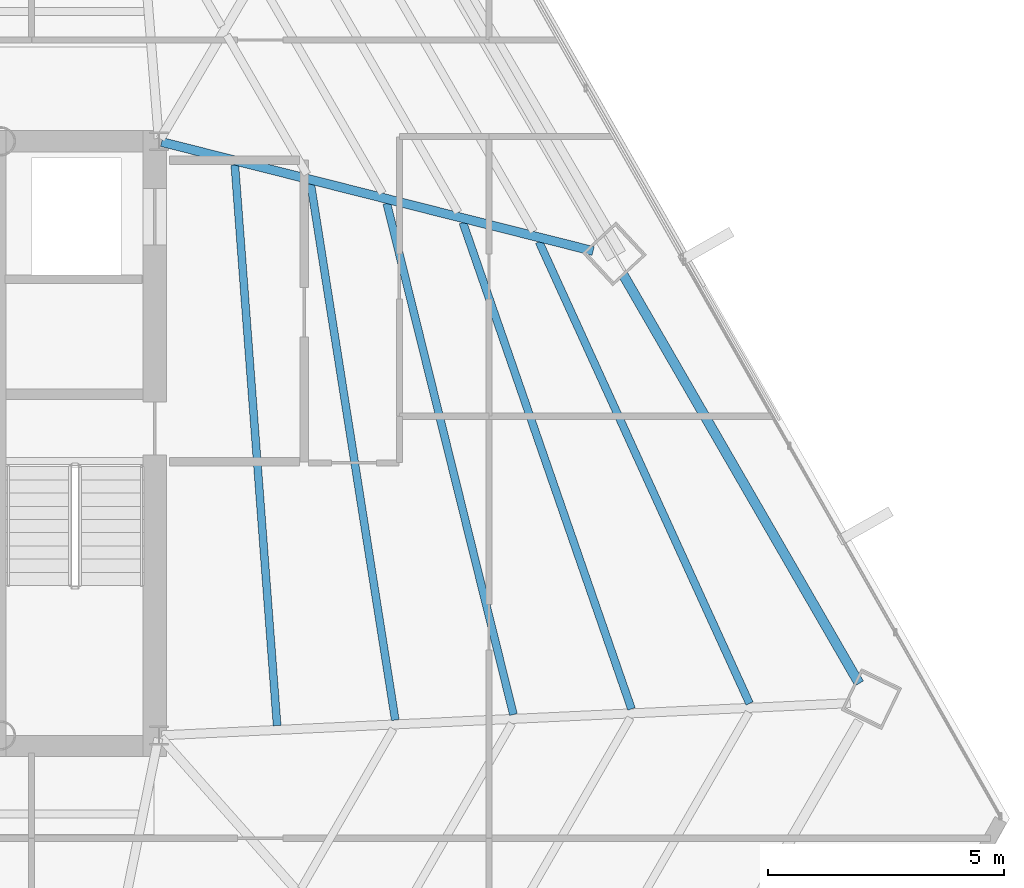
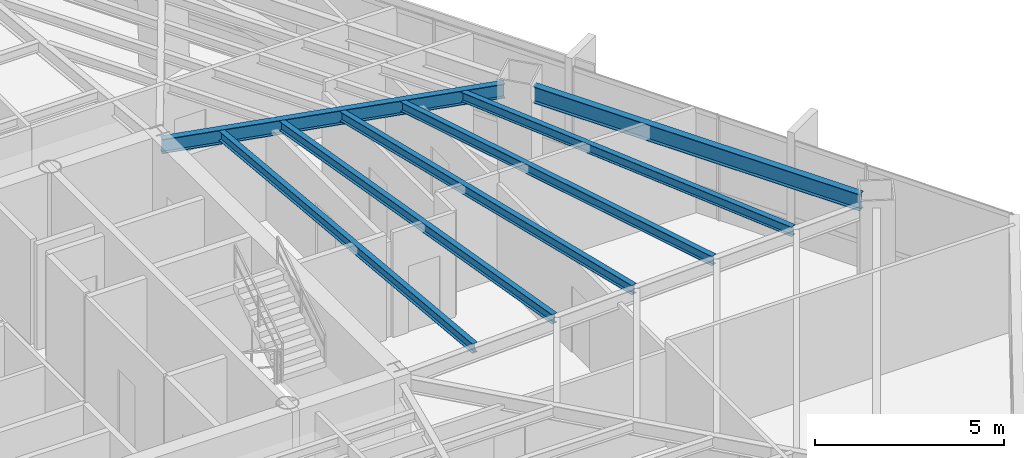
# One storey, part 22 of 38: 7 beams.
"""IFC4 building model written with IfcOpenShell, lengths in metres."""

from ifc_helpers import new_model, si_unit, direction, frame, origin, origin_2d, place, context, subcontext, project, spatial, i_section, extrude, source, transform, mapped, material, material_profile, profile_set, type_object, type_shapes, element, save


model = new_model("IFC4")

# Units and contexts
model_context = context("Model", 3, precision=1e-05, world=origin(), true_north=direction((0.0, 1.0)))
body_context = subcontext(model_context, "Body", "Model", "MODEL_VIEW")
ifc_project = project(units=[si_unit("LENGTHUNIT", "METRE"), si_unit("AREAUNIT", "SQUARE_METRE"), si_unit("VOLUMEUNIT", "CUBIC_METRE"), si_unit("PLANEANGLEUNIT", "RADIAN"), si_unit("MASSUNIT", "GRAM", prefix="KILO")], contexts=[model_context])

# Site, building, storey
site_placement = place(None, origin())
site = spatial("IfcSite", under=ifc_project, at=site_placement, CompositionType="ELEMENT")
building_placement = place(site_placement, origin())
building = spatial("IfcBuilding", under=site, at=building_placement, Name="Caelisora Broadcast Tower", CompositionType="ELEMENT")
storey_placement = place(building_placement, frame((0.0, 0.0, 154.85009765625)))
storey = spatial("IfcBuildingStorey", under=building, at=storey_placement, Name="L40", CompositionType="ELEMENT", Elevation=154.85009765625)

# Beams
ifc_material = material(Name="Steel Grade 350 (AS/NZS 3679.1)", Category="steel")
ifc_material_profile_1 = material_profile(ifc_material, i_section(OverallWidth=0.208984375, OverallDepth=0.532958984375, WebThickness=0.01025390625, FlangeThickness=0.015625, at=origin_2d()), Name="Steel Grade 350 (AS/NZS 3679.1)")
ifc_profile_set_1 = profile_set([ifc_material_profile_1], Name="Steel Grade 350 (AS/NZS 3679.1)")
beam_type_1 = type_object("IfcBeamType", Name="PG05", PredefinedType="BEAM", material=ifc_profile_set_1)
shared_shape_1 = source(origin(), body_context, "Body", "SweptSolid", [
    extrude(i_section(OverallWidth=0.208984375, OverallDepth=0.532958984375, WebThickness=0.01025390625, FlangeThickness=0.015625, at=origin_2d()), origin(), (0.0, 0.0, 1.0), 10.01025390625),
])
type_shapes(beam_type_1, [shared_shape_1])
beam_1_placement = place(storey_placement, frame((60.349853515625, 18.503173828125, 3.13330078125), z_axis=(-0.499997609114, 0.866026784159, 0.0), x_axis=(-0.866026784159, -0.499997609114, 0.0)))
element("IfcBeam", 1, at=beam_1_placement, inside=storey, type_object=beam_type_1, Name="L40 beam PG05", PredefinedType="BEAM", context=body_context, shape_type="MappedRepresentation", body=[
    mapped(shared_shape_1, transform((0.0, 0.0, 0.0), scale=1.0)),
])
ifc_material_profile_2 = material_profile(ifc_material, i_section(OverallWidth=0.19091796875, OverallDepth=0.46044921875, WebThickness=0.010009765625, FlangeThickness=0.01611328125, at=origin_2d()), Name="Steel Grade 350 (AS/NZS 3679.1)")
ifc_profile_set_2 = profile_set([ifc_material_profile_2], Name="Steel Grade 350 (AS/NZS 3679.1)")
beam_type_2 = type_object("IfcBeamType", Name="PG06", PredefinedType="BEAM", material=ifc_profile_set_2)
shared_shape_2 = source(origin(), body_context, "Body", "SweptSolid", [
    extrude(i_section(OverallWidth=0.19091796875, OverallDepth=0.46044921875, WebThickness=0.010009765625, FlangeThickness=0.01611328125, at=origin_2d()), origin(), (0.0, 0.0, 1.0), 9.43701171875),
])
type_shapes(beam_type_2, [shared_shape_2])
beam_2_placement = place(storey_placement, frame((45.55810546875, 29.9853515625, 3.169677734375), z_axis=(0.969530721979, -0.244969751479, 0.0), x_axis=(0.244969751479, 0.969530721979, 0.0)))
element("IfcBeam", 2, at=beam_2_placement, inside=storey, type_object=beam_type_2, Name="L40 beam PG06", PredefinedType="BEAM", context=body_context, shape_type="MappedRepresentation", body=[
    mapped(shared_shape_2, transform((0.0, 0.0, 0.0), scale=1.0)),
])
ifc_material_profile_3 = material_profile(ifc_material, i_section(OverallWidth=0.166015625, OverallDepth=0.30712890625, WebThickness=0.006591796875, FlangeThickness=0.01171875, at=origin_2d()), Name="Steel Grade 350 (AS/NZS 3679.1)")
ifc_profile_set_3 = profile_set([ifc_material_profile_3], Name="Steel Grade 350 (AS/NZS 3679.1)")
beam_type_3 = type_object("IfcBeamType", Name="SB03", PredefinedType="JOIST", material=ifc_profile_set_3)
shared_shape_3 = source(origin(), body_context, "Body", "SweptSolid", [
    extrude(i_section(OverallWidth=0.166015625, OverallDepth=0.30712890625, WebThickness=0.006591796875, FlangeThickness=0.01171875, at=origin_2d()), origin(), (0.0, 0.0, 1.0), 11.921875),
])
beam_3_placement = place(storey_placement, frame((48.00634765625, 17.609619140625, 3.246337890625), z_axis=(-0.07519619828, 0.997168757916, 0.0), x_axis=(-0.997168757916, -0.07519619828, 0.0)))
element("IfcBeam", 3, at=beam_3_placement, inside=storey, type_object=beam_type_3, Name="L40 beam SB03", PredefinedType="JOIST", context=body_context, shape_type="MappedRepresentation", body=[
    mapped(shared_shape_3, transform((0.0, 0.0, 0.0), scale=1.0)),
])
shared_shape_4 = source(origin(), body_context, "Body", "SweptSolid", [
    extrude(i_section(OverallWidth=0.166015625, OverallDepth=0.30712890625, WebThickness=0.006591796875, FlangeThickness=0.01171875, at=origin_2d()), origin(), (0.0, 0.0, 1.0), 11.504150390625),
])
beam_4_placement = place(storey_placement, frame((50.51220703125, 17.726806640625, 3.246337890625), z_axis=(-0.155727176702, 0.987800104493, 0.0), x_axis=(-0.987800104493, -0.155727176702, 0.0)))
element("IfcBeam", 4, at=beam_4_placement, inside=storey, type_object=beam_type_3, Name="L40 beam SB03", PredefinedType="JOIST", context=body_context, shape_type="MappedRepresentation", body=[
    mapped(shared_shape_4, transform((0.0, 0.0, 0.0), scale=1.0)),
])
shared_shape_5 = source(origin(), body_context, "Body", "SweptSolid", [
    extrude(i_section(OverallWidth=0.166015625, OverallDepth=0.30712890625, WebThickness=0.006591796875, FlangeThickness=0.01171875, at=origin_2d()), origin(), (0.0, 0.0, 1.0), 11.16650390625),
])
beam_5_placement = place(storey_placement, frame((53.017333984375, 17.843994140625, 3.246337890625), z_axis=(-0.240410431092, 0.970671326774, 0.0), x_axis=(-0.970671326774, -0.240410431092, 0.0)))
element("IfcBeam", 5, at=beam_5_placement, inside=storey, type_object=beam_type_3, Name="L40 beam SB03", PredefinedType="JOIST", context=body_context, shape_type="MappedRepresentation", body=[
    mapped(shared_shape_5, transform((0.0, 0.0, 0.0), scale=1.0)),
])
shared_shape_6 = source(origin(), body_context, "Body", "SweptSolid", [
    extrude(i_section(OverallWidth=0.166015625, OverallDepth=0.30712890625, WebThickness=0.006591796875, FlangeThickness=0.01171875, at=origin_2d()), origin(), (0.0, 0.0, 1.0), 10.916259765625),
])
beam_6_placement = place(storey_placement, frame((55.521484375, 17.961181640625, 3.246337890625), z_axis=(-0.327510738171, 0.944847456674, 0.0), x_axis=(-0.944847456674, -0.327510738171, 0.0)))
element("IfcBeam", 6, at=beam_6_placement, inside=storey, type_object=beam_type_3, Name="L40 beam SB03", PredefinedType="JOIST", context=body_context, shape_type="MappedRepresentation", body=[
    mapped(shared_shape_6, transform((0.0, 0.0, 0.0), scale=1.0)),
])
shared_shape_7 = source(origin(), body_context, "Body", "SweptSolid", [
    extrude(i_section(OverallWidth=0.166015625, OverallDepth=0.30712890625, WebThickness=0.006591796875, FlangeThickness=0.01171875, at=origin_2d()), origin(), (0.0, 0.0, 1.0), 10.75830078125),
])
type_shapes(beam_type_3, [shared_shape_3, shared_shape_4, shared_shape_5, shared_shape_6, shared_shape_7])
beam_7_placement = place(storey_placement, frame((58.025146484375, 18.078125, 3.246337890625), z_axis=(-0.414855884342, 0.909887133235, 0.0), x_axis=(-0.909887133235, -0.414855884342, 0.0)))
element("IfcBeam", 7, at=beam_7_placement, inside=storey, type_object=beam_type_3, Name="L40 beam SB03", PredefinedType="JOIST", context=body_context, shape_type="MappedRepresentation", body=[
    mapped(shared_shape_7, transform((0.0, 0.0, 0.0), scale=1.0)),
])

save(model, "model.ifc")
